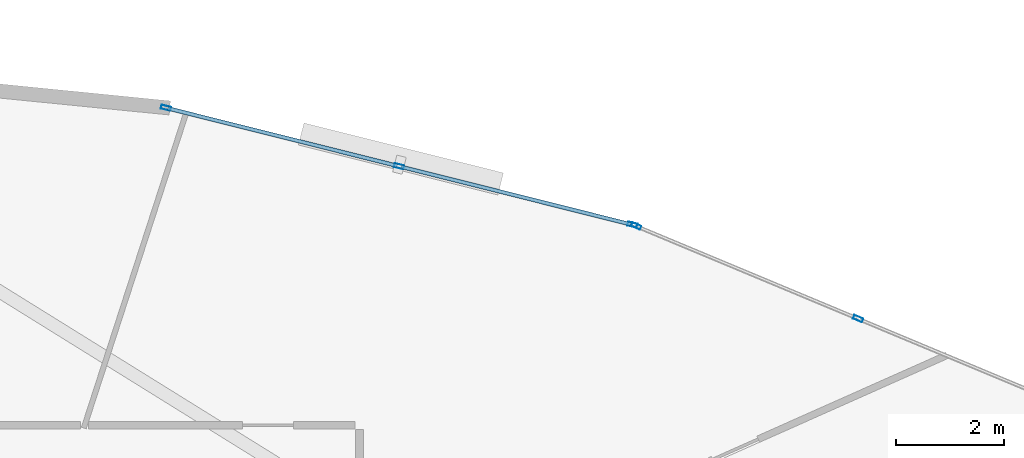
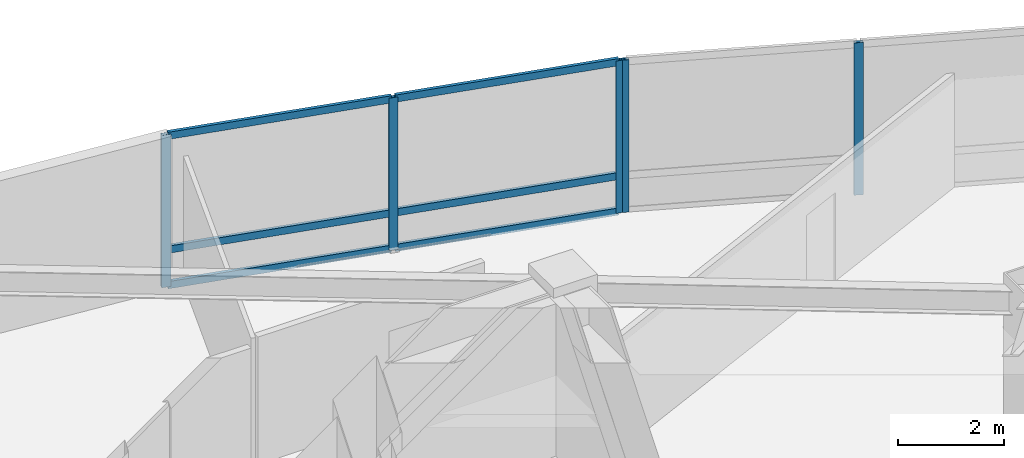
# One storey, part 9 of 18: 11 members, 2 elements without a shape of their own.
"""IFC4 building model written with IfcOpenShell, lengths in metres."""

from ifc_helpers import new_model, si_unit, direction, frame, origin, origin_2d, place, context, subcontext, project, spatial, hollow_rectangle, extrude, material, layer, layer_set, material_profile, profile_set, type_object, element, aggregate, save


model = new_model("IFC4")

# Units and contexts
model_context = context("Model", 3, precision=1e-05, world=origin(), true_north=direction((0.0, 1.0)))
body_context = subcontext(model_context, "Body", "Model", "MODEL_VIEW")
ifc_project = project(units=[si_unit("LENGTHUNIT", "METRE"), si_unit("AREAUNIT", "SQUARE_METRE"), si_unit("VOLUMEUNIT", "CUBIC_METRE"), si_unit("PLANEANGLEUNIT", "RADIAN"), si_unit("MASSUNIT", "GRAM", prefix="KILO")], contexts=[model_context])

# Site, building, storey
site_placement = place(None, origin())
site = spatial("IfcSite", under=ifc_project, at=site_placement, CompositionType="ELEMENT")
building_placement = place(site_placement, origin())
building = spatial("IfcBuilding", under=site, at=building_placement, Name="Menara Vayukalpa", CompositionType="ELEMENT")
storey_placement = place(building_placement, frame((0.0, 0.0, 158.0400390625)))
storey = spatial("IfcBuildingStorey", under=building, at=storey_placement, Name="L39", CompositionType="ELEMENT", Elevation=158.0400390625)

# Curtain wall, members
ifc_material_1 = material(Name="Anodised Terracotta Aluminium Alloy 6063-T6", Category="masonry")
ifc_layer = layer(ifc_material_1, 0.179931640625)
ifc_layer_set = layer_set([ifc_layer], Name="Anodised Terracotta Aluminium Alloy 6063-T6")
curtain_wall_type = type_object("IfcCurtainWallType", Name="CW-CW4", PredefinedType="USERDEFINED", material=ifc_layer_set)
curtain_wall_1_placement = place(storey_placement, origin())
curtain_wall_1 = element("IfcCurtainWall", 1, at=curtain_wall_1_placement, inside=storey, type_object=curtain_wall_type, Name="L39 Sky Bar Cantilever Glazed Curtain Wall CW4 04", ObjectType="UNITISED", PredefinedType="USERDEFINED")
ifc_material_2 = material(Name="Anodised Terracotta Aluminium Alloy 6063-T6", Category="masonry")
ifc_material_profile_1 = material_profile(ifc_material_2, hollow_rectangle(XDim=0.074951171875, YDim=0.179931640625, WallThickness=0.00390625, at=origin_2d()), Name="ALU 75x180x4")
ifc_profile_set_1 = profile_set([ifc_material_profile_1], Name="Anodised Terracotta Aluminium Alloy 6063-T6")
member_type_1 = type_object("IfcMemberType", Name="CWM-CW4", PredefinedType="MULLION", material=ifc_profile_set_1)
member_1_placement = place(storey_placement, frame((42.098388671875, 30.75146484375, 0.0), z_axis=(0.0, 0.0, 1.0), x_axis=(-0.385091352437, -0.922878459104, 0.0)))
member_1 = element("IfcMember", 2, at=member_1_placement, type_object=member_type_1, Name="CW4 mullion 2", PredefinedType="MULLION", context=body_context, shape_type="SweptSolid", body=[
    extrude(hollow_rectangle(XDim=0.074951171875, YDim=0.179931640625, WallThickness=0.00390625, at=origin_2d()), origin(), (0.0, 0.0, 1.0), 3.5),
])
member_2_placement = place(storey_placement, frame((37.996337890625, 32.463134765625, 0.0), z_axis=(0.0, 0.0, 1.0), x_axis=(-0.385091352437, -0.922878459104, 0.0)))
member_2 = element("IfcMember", 3, at=member_2_placement, type_object=member_type_1, Name="CW4 mullion 3", PredefinedType="MULLION", context=body_context, shape_type="SweptSolid", body=[
    extrude(hollow_rectangle(XDim=0.074951171875, YDim=0.179931640625, WallThickness=0.00390625, at=origin_2d()), origin(), (0.0, 0.0, 1.0), 3.5),
])
aggregate(curtain_wall_1, [member_1, member_2])

curtain_wall_2_placement = place(storey_placement, origin())
curtain_wall_2 = element("IfcCurtainWall", 4, at=curtain_wall_2_placement, inside=storey, type_object=curtain_wall_type, Name="L39 Sky Bar Cantilever Glazed Curtain Wall CW4 05", ObjectType="UNITISED", PredefinedType="USERDEFINED")
member_3_placement = place(storey_placement, frame((37.92529296875, 32.48681640625, 0.0), z_axis=(0.0, 0.0, 1.0), x_axis=(-0.243112993066, -0.969997975566, 0.0)))
member_3 = element("IfcMember", 5, at=member_3_placement, type_object=member_type_1, Name="CW4 mullion 1", PredefinedType="MULLION", context=body_context, shape_type="SweptSolid", body=[
    extrude(hollow_rectangle(XDim=0.074951171875, YDim=0.179931640625, WallThickness=0.00390625, at=origin_2d()), origin(), (0.0, 0.0, 1.0), 3.5),
])
member_4_placement = place(storey_placement, frame((33.61376953125, 33.5673828125, 0.0), z_axis=(0.0, 0.0, 1.0), x_axis=(-0.243112993066, -0.969997975566, 0.0)))
member_4 = element("IfcMember", 6, at=member_4_placement, type_object=member_type_1, Name="CW4 mullion 2", PredefinedType="MULLION", context=body_context, shape_type="SweptSolid", body=[
    extrude(hollow_rectangle(XDim=0.074951171875, YDim=0.179931640625, WallThickness=0.00390625, at=origin_2d()), origin(), (0.0, 0.0, 1.0), 3.5),
])
member_5_placement = place(storey_placement, frame((29.302001953125, 34.64794921875, 0.0), z_axis=(0.0, 0.0, 1.0), x_axis=(-0.243112993066, -0.969997975566, 0.0)))
member_5 = element("IfcMember", 7, at=member_5_placement, type_object=member_type_1, Name="CW4 mullion 3", PredefinedType="MULLION", context=body_context, shape_type="SweptSolid", body=[
    extrude(hollow_rectangle(XDim=0.074951171875, YDim=0.179931640625, WallThickness=0.00390625, at=origin_2d()), origin(), (0.0, 0.0, 1.0), 3.5),
])
ifc_material_3 = material(Name="Anodised Terracotta Aluminium Alloy 6063-T6", Category="masonry")
ifc_material_profile_2 = material_profile(ifc_material_3, hollow_rectangle(XDim=0.070068359375, YDim=0.1650390625, WallThickness=0.00390625, at=origin_2d()), Name="ALU 70x165x4")
ifc_profile_set_2 = profile_set([ifc_material_profile_2], Name="Anodised Terracotta Aluminium Alloy 6063-T6")
member_type_2 = type_object("IfcMemberType", Name="CWT-CW4", PredefinedType="USERDEFINED", material=ifc_profile_set_2)
member_6_placement = place(storey_placement, frame((37.888916015625, 32.495849609375, 0.034912109375), z_axis=(-0.969991137753, 0.243140273672, 0.0), x_axis=(-0.243140273672, -0.969991137753, 0.0)))
member_6 = element("IfcMember", 8, at=member_6_placement, type_object=member_type_2, Name="CW4 transom 1.1", ObjectType="TRANSOM", PredefinedType="USERDEFINED", context=body_context, shape_type="SweptSolid", body=[
    extrude(hollow_rectangle(XDim=0.070068359375, YDim=0.1650390625, WallThickness=0.00390625, at=origin_2d()), origin(), (0.0, 0.0, 1.0), 4.369873046875),
])
member_7_placement = place(storey_placement, frame((37.888916015625, 32.495849609375, 0.849853515625), z_axis=(-0.969991137753, 0.243140273672, 0.0), x_axis=(-0.243140273672, -0.969991137753, 0.0)))
member_7 = element("IfcMember", 9, at=member_7_placement, type_object=member_type_2, Name="CW4 transom 1.2", ObjectType="TRANSOM", PredefinedType="USERDEFINED", context=body_context, shape_type="SweptSolid", body=[
    extrude(hollow_rectangle(XDim=0.070068359375, YDim=0.1650390625, WallThickness=0.00390625, at=origin_2d()), origin(), (0.0, 0.0, 1.0), 4.369873046875),
])
member_8_placement = place(storey_placement, frame((37.888916015625, 32.495849609375, 3.46484375), z_axis=(-0.969991137753, 0.243140273672, 0.0), x_axis=(-0.243140273672, -0.969991137753, 0.0)))
member_8 = element("IfcMember", 10, at=member_8_placement, type_object=member_type_2, Name="CW4 transom 1.3", ObjectType="TRANSOM", PredefinedType="USERDEFINED", context=body_context, shape_type="SweptSolid", body=[
    extrude(hollow_rectangle(XDim=0.070068359375, YDim=0.1650390625, WallThickness=0.00390625, at=origin_2d()), origin(), (0.0, 0.0, 1.0), 4.369873046875),
])
member_9_placement = place(storey_placement, frame((33.577392578125, 33.576416015625, 0.034912109375), z_axis=(-0.969994440281, 0.243127098088, 0.0), x_axis=(-0.243127098088, -0.969994440281, 0.0)))
member_9 = element("IfcMember", 11, at=member_9_placement, type_object=member_type_2, Name="CW4 transom 2.1", ObjectType="TRANSOM", PredefinedType="USERDEFINED", context=body_context, shape_type="SweptSolid", body=[
    extrude(hollow_rectangle(XDim=0.070068359375, YDim=0.1650390625, WallThickness=0.00390625, at=origin_2d()), origin(), (0.0, 0.0, 1.0), 4.3701171875),
])
member_10_placement = place(storey_placement, frame((33.577392578125, 33.576416015625, 0.849853515625), z_axis=(-0.969994440281, 0.243127098088, 0.0), x_axis=(-0.243127098088, -0.969994440281, 0.0)))
member_10 = element("IfcMember", 12, at=member_10_placement, type_object=member_type_2, Name="CW4 transom 2.2", ObjectType="TRANSOM", PredefinedType="USERDEFINED", context=body_context, shape_type="SweptSolid", body=[
    extrude(hollow_rectangle(XDim=0.070068359375, YDim=0.1650390625, WallThickness=0.00390625, at=origin_2d()), origin(), (0.0, 0.0, 1.0), 4.3701171875),
])
member_11_placement = place(storey_placement, frame((33.577392578125, 33.576416015625, 3.46484375), z_axis=(-0.969994440281, 0.243127098088, 0.0), x_axis=(-0.243127098088, -0.969994440281, 0.0)))
member_11 = element("IfcMember", 13, at=member_11_placement, type_object=member_type_2, Name="CW4 transom 2.3", ObjectType="TRANSOM", PredefinedType="USERDEFINED", context=body_context, shape_type="SweptSolid", body=[
    extrude(hollow_rectangle(XDim=0.070068359375, YDim=0.1650390625, WallThickness=0.00390625, at=origin_2d()), origin(), (0.0, 0.0, 1.0), 4.3701171875),
])
aggregate(curtain_wall_2, [member_3, member_4, member_5, member_6, member_7, member_8, member_9, member_10, member_11])

save(model, "model.ifc")
